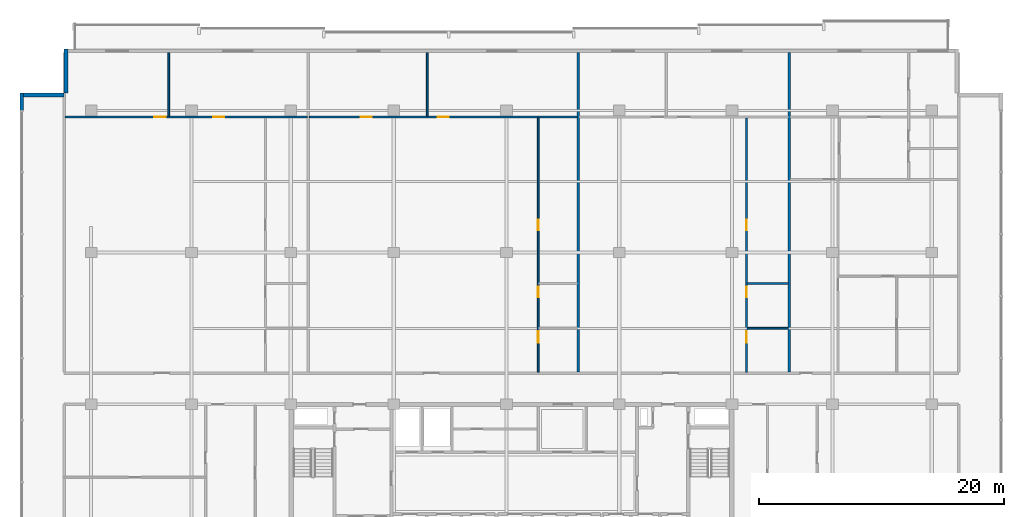
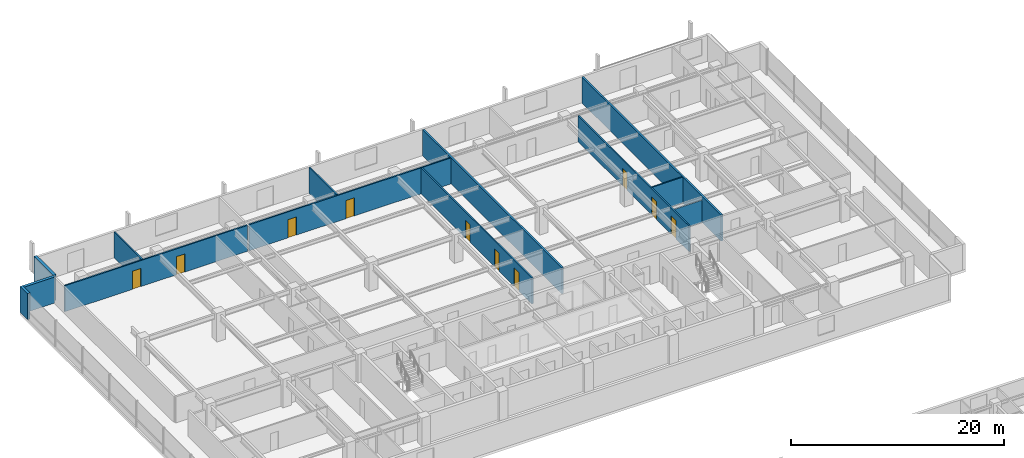
# One storey, part 30 of 38: 13 walls, 10 doors, 10 openings.
"""IFC4 building model written with IfcOpenShell, lengths in metres."""

from ifc_helpers import new_model, si_unit, direction, frame, frame_2d, origin, place, context, subcontext, project, spatial, rectangle, extrude, material, layer, layer_set, type_object, element, fill, save


model = new_model("IFC4")

# Units and contexts
model_context = context("Model", 3, precision=1e-05, world=origin(), true_north=direction((0.0, 1.0)))
body_context = subcontext(model_context, "Body", "Model", "MODEL_VIEW")
ifc_project = project(units=[si_unit("LENGTHUNIT", "METRE"), si_unit("AREAUNIT", "SQUARE_METRE"), si_unit("VOLUMEUNIT", "CUBIC_METRE"), si_unit("PLANEANGLEUNIT", "RADIAN"), si_unit("MASSUNIT", "GRAM", prefix="KILO")], contexts=[model_context])

# Site, building, storey
site_placement = place(None, origin())
site = spatial("IfcSite", under=ifc_project, at=site_placement, CompositionType="ELEMENT")
building_placement = place(site_placement, origin())
building = spatial("IfcBuilding", under=site, at=building_placement, Name="Korimba Cascade Residences", CompositionType="ELEMENT")
storey_placement = place(building_placement, frame((0.0, 0.0, 93.800048828125)))
storey = spatial("IfcBuildingStorey", under=building, at=storey_placement, Name="L26", CompositionType="ELEMENT", Elevation=93.800048828125)

# Walls
ifc_material_1 = material(Name="Precast concrete C40/50", Category="concrete")
ifc_layer_1 = layer(ifc_material_1, 0.300048828125)
ifc_layer_set_1 = layer_set([ifc_layer_1], Name="Precast concrete C40/50")
wall_type_1 = type_object("IfcWallType", Name="EW-STONE-300", PredefinedType="STANDARD", material=ifc_layer_set_1)
wall_1_placement = place(storey_placement, frame((57.75, 96.199951171875, 0.0), z_axis=(0.0, 0.0, 1.0), x_axis=(0.0, -1.0, 0.0)))
element("IfcWall", 1, at=wall_1_placement, inside=storey, type_object=wall_type_1, Name="L26 T1 Perimeter Stone Wall E07", PredefinedType="STANDARD", context=body_context, shape_type="SweptSolid", body=[
    extrude(rectangle(XDim=3.599853515625, YDim=0.300048828125, at=frame_2d((1.7998046875, 0.0))), origin(), (0.0, 0.0, 1.0), 2.969970703125),
])
wall_2_placement = place(storey_placement, frame((57.60009765625, 92.449951171875, 0.0), z_axis=(0.0, 0.0, 1.0), x_axis=(-1.0, 0.0, 0.0)))
element("IfcWall", 2, at=wall_2_placement, inside=storey, type_object=wall_type_1, Name="L26 T1 Perimeter Stone Wall E08", PredefinedType="STANDARD", context=body_context, shape_type="SweptSolid", body=[
    extrude(rectangle(XDim=3.60009765625, YDim=0.300048828125, at=frame_2d((1.800048828125, 0.0))), origin(), (0.0, 0.0, 1.0), 2.969970703125),
])
wall_3_placement = place(storey_placement, frame((54.14990234375, 92.60009765625, 0.0), z_axis=(0.0, 0.0, 1.0), x_axis=(0.0, -1.0, 0.0)))
element("IfcWall", 3, at=wall_3_placement, inside=storey, type_object=wall_type_1, Name="L26 T1 Sky Pier 9A", PredefinedType="STANDARD", context=body_context, shape_type="SweptSolid", body=[
    extrude(rectangle(XDim=1.400146484375, YDim=0.300048828125, at=frame_2d((0.7001953125, 0.0))), origin(), (0.0, 0.0, 1.0), 2.969970703125),
])
ifc_layer_2 = layer(ifc_material_1, 0.199951171875)
ifc_layer_set_2 = layer_set([ifc_layer_2], Name="Precast concrete C40/50")
wall_type_2 = type_object("IfcWallType", Name="WAL-IT-200", PredefinedType="PARTITIONING", material=ifc_layer_set_2)
for number, where, z_axis, x_axis, name in (
    (4, (99.55810546875, 69.830078125, 0.0), (0.0, 0.0, 1.0), (0.0, 1.0, 0.0), "L26 Partition Wall WAL-L26-T1-DEM-2"),
    (5, (116.78271484375, 69.830078125, 0.0), (0.0, 0.0, 1.0), (0.0, 1.0, 0.0), "L26 Partition Wall WAL-L26-T1-DEM-3"),
):
    element("IfcWall", number, at=place(storey_placement, frame(where, z_axis=z_axis, x_axis=x_axis)), inside=storey, type_object=wall_type_2, Name=name, PredefinedType="PARTITIONING", context=body_context, shape_type="SweptSolid", body=[
        extrude(rectangle(XDim=26.06982421875, YDim=0.199951171875, at=frame_2d((13.034912109375, 0.0))), origin(), (0.0, 0.0, 1.0), 2.969970703125),
    ])
ifc_material_2 = material(Name="Insulated Acoustic Stud Partition", Category="gypsum")
ifc_layer_3 = layer(ifc_material_2, 0.14990234375)
ifc_layer_set_3 = layer_set([ifc_layer_3], Name="Insulated Acoustic Stud Partition")
wall_type_3 = type_object("IfcWallType", Name="WAL-PART-150", PredefinedType="PARTITIONING", material=ifc_layer_set_3)
wall_4_placement = place(storey_placement, frame((66.144287109375, 90.72998046875, 0.0), z_axis=(0.0, 0.0, 1.0), x_axis=(0.0, 1.0, 0.0)))
element("IfcWall", 6, at=wall_4_placement, inside=storey, type_object=wall_type_3, Name="L26 Partition Wall WAL-L26-T1-U01-OUTV", PredefinedType="PARTITIONING", context=body_context, shape_type="SweptSolid", body=[
    extrude(rectangle(XDim=5.169921875, YDim=0.14990234375, at=frame_2d((2.5849609375, 0.0))), origin(), (0.0, 0.0, 1.0), 2.969970703125),
])

# Wall, openings, doors
wall_5_placement = place(storey_placement, frame((57.679931640625, 90.64990234375, 0.0), z_axis=(0.0, 0.0, 1.0), x_axis=(1.0, 0.0, 0.0)))
wall_5 = element("IfcWall", 7, at=wall_5_placement, inside=storey, type_object=wall_type_3, Name="L26 Partition Wall WAL-L26-T1-U01-HZ", PredefinedType="PARTITIONING", context=body_context, shape_type="SweptSolid", body=[
    extrude(rectangle(XDim=19.7685546875, YDim=0.14990234375, at=frame_2d((9.88427734375, 0.0))), origin(), (0.0, 0.0, 1.0), 2.969970703125),
])
opening_1_placement = place(wall_5_placement, frame((7.294189453125, 0.0, 0.0)))
opening_1 = element("IfcOpeningElement", 8, at=opening_1_placement, cuts=wall_5, Name="Opening D-ST1", PredefinedType="OPENING", context=body_context, shape_type="SweptSolid", body=[
    extrude(rectangle(XDim=0.919921875, YDim=2.080078125, at=frame_2d((0.4599609375, 1.0400390625))), frame((0.0, 0.0849609375, 0.0), z_axis=(0.0, -1.0, 0.0), x_axis=(1.0, 0.0, 0.0)), (0.0, 0.0, 1.0), 0.169921875),
])
opening_2_placement = place(wall_5_placement, frame((12.07568359375, 0.0, 0.0)))
opening_2 = element("IfcOpeningElement", 9, at=opening_2_placement, cuts=wall_5, Name="Opening D-ST1", PredefinedType="OPENING", context=body_context, shape_type="SweptSolid", body=[
    extrude(rectangle(XDim=0.919921875, YDim=2.080078125, at=frame_2d((0.4599609375, 1.0400390625))), frame((0.0, 0.0849609375, 0.0), z_axis=(0.0, -1.0, 0.0), x_axis=(1.0, 0.0, 0.0)), (0.0, 0.0, 1.0), 0.169921875),
])
ifc_material_3 = material(Name="Fire-Rated Core Store Door", Category="wood")
door_type_1 = type_object("IfcDoorType", Name="DR-FD60-920", OperationType="NOTDEFINED", PredefinedType="DOOR", material=ifc_material_3)
door_1_placement = place(opening_1_placement, origin())
door_1 = element("IfcDoor", 10, at=door_1_placement, inside=storey, type_object=door_type_1, Name="L26-T1-U01 Sky Lobby Concierge Door", OperationType="SINGLE_SWING_LEFT", OverallHeight=2.080078125, OverallWidth=0.919921875, PredefinedType="DOOR", context=body_context, shape_type="SweptSolid", body=[
    extrude(rectangle(XDim=0.919921875, YDim=2.080078125, at=frame_2d((0.4599609375, 1.0400390625))), frame((0.0, 0.02490234375, 0.0), z_axis=(0.0, -1.0, 0.0), x_axis=(1.0, 0.0, 0.0)), (0.0, 0.0, 1.0), 0.050048828125),
])
fill(opening_1, door_1)
door_2_placement = place(opening_2_placement, origin())
door_2 = element("IfcDoor", 11, at=door_2_placement, inside=storey, type_object=door_type_1, Name="L26-T1-U01 Horizon Observation Atrium Door", OperationType="SINGLE_SWING_RIGHT", OverallHeight=2.080078125, OverallWidth=0.919921875, PredefinedType="DOOR", context=body_context, shape_type="SweptSolid", body=[
    extrude(rectangle(XDim=0.919921875, YDim=2.080078125, at=frame_2d((0.4599609375, 1.0400390625))), frame((0.0, 0.02490234375, 0.0), z_axis=(0.0, -1.0, 0.0), x_axis=(1.0, 0.0, 0.0)), (0.0, 0.0, 1.0), 0.050048828125),
])
fill(opening_2, door_2)

wall_6_placement = place(storey_placement, frame((96.2880859375, 69.81005859375, 0.0), z_axis=(0.0, 0.0, 1.0), x_axis=(0.0, 1.0, 0.0)))
wall_6 = element("IfcWall", 12, at=wall_6_placement, inside=storey, type_object=wall_type_3, Name="L26 Partition Wall WAL-L26-T1-U02-WCV", PredefinedType="PARTITIONING", context=body_context, shape_type="SweptSolid", body=[
    extrude(rectangle(XDim=20.780029296875, YDim=0.14990234375, at=frame_2d((10.39013671875, 0.0))), origin(), (0.0, 0.0, 1.0), 2.969970703125),
])
opening_3_placement = place(wall_6_placement, frame((2.406005859375, 0.0, 0.0)))
opening_3 = element("IfcOpeningElement", 13, at=opening_3_placement, cuts=wall_6, Name="Opening D-AC1", PredefinedType="OPENING", context=body_context, shape_type="SweptSolid", body=[
    extrude(rectangle(XDim=0.9599609375, YDim=2.10009765625, at=frame_2d((0.47998046875, 1.050048828125))), frame((0.0, 0.0849609375, 0.0), z_axis=(0.0, -1.0, 0.0), x_axis=(1.0, 0.0, 0.0)), (0.0, 0.0, 1.0), 0.169921875),
])
opening_4_placement = place(wall_6_placement, frame((6.132568359375, 0.0, 0.0)))
opening_4 = element("IfcOpeningElement", 14, at=opening_4_placement, cuts=wall_6, Name="Opening D-IN2", PredefinedType="OPENING", context=body_context, shape_type="SweptSolid", body=[
    extrude(rectangle(XDim=0.8798828125, YDim=2.06005859375, at=frame_2d((0.43994140625, 1.030029296875))), frame((0.0, 0.0849609375, 0.0), z_axis=(0.0, -1.0, 0.0), x_axis=(1.0, 0.0, 0.0)), (0.0, 0.0, 1.0), 0.169921875),
])
opening_5_placement = place(wall_6_placement, frame((11.61474609375, 0.0, 0.0)))
opening_5 = element("IfcOpeningElement", 15, at=opening_5_placement, cuts=wall_6, Name="Opening D-BT1", PredefinedType="OPENING", context=body_context, shape_type="SweptSolid", body=[
    extrude(rectangle(XDim=0.840087890625, YDim=2.0400390625, at=frame_2d((0.419921875, 1.02001953125))), frame((0.0, 0.0849609375, 0.0), z_axis=(0.0, -1.0, 0.0), x_axis=(1.0, 0.0, 0.0)), (0.0, 0.0, 1.0), 0.169921875),
])
ifc_material_4 = material(Name="Accessible Acoustic Timber WC Door", Category="wood")
door_type_2 = type_object("IfcDoorType", Name="DR-ACC-950", OperationType="NOTDEFINED", PredefinedType="DOOR", material=ifc_material_4)
door_3_placement = place(opening_3_placement, origin())
door_3 = element("IfcDoor", 16, at=door_3_placement, inside=storey, type_object=door_type_2, Name="L26-T1-U02 Accessible WC Door", OperationType="SINGLE_SWING_LEFT", OverallHeight=2.10009765625, OverallWidth=0.9599609375, PredefinedType="DOOR", context=body_context, shape_type="SweptSolid", body=[
    extrude(rectangle(XDim=0.9599609375, YDim=2.10009765625, at=frame_2d((0.47998046875, 1.050048828125))), frame((0.0, 0.02490234375, 0.0), z_axis=(0.0, -1.0, 0.0), x_axis=(1.0, 0.0, 0.0)), (0.0, 0.0, 1.0), 0.050048828125),
])
fill(opening_3, door_3)
ifc_material_5 = material(Name="Moisture-Resistant Bathroom Timber Door", Category="wood")
door_type_3 = type_object("IfcDoorType", Name="DR-INT-850", OperationType="NOTDEFINED", PredefinedType="DOOR", material=ifc_material_5)
door_4_placement = place(opening_5_placement, origin())
door_4 = element("IfcDoor", 17, at=door_4_placement, inside=storey, type_object=door_type_3, Name="L26-T1-U02 Suite Store Door", OperationType="SINGLE_SWING_LEFT", OverallHeight=2.0400390625, OverallWidth=0.840087890625, PredefinedType="DOOR", context=body_context, shape_type="SweptSolid", body=[
    extrude(rectangle(XDim=0.840087890625, YDim=2.0400390625, at=frame_2d((0.419921875, 1.02001953125))), frame((0.0, 0.02490234375, 0.0), z_axis=(0.0, -1.0, 0.0), x_axis=(1.0, 0.0, 0.0)), (0.0, 0.0, 1.0), 0.050048828125),
])
fill(opening_5, door_4)
ifc_material_6 = material(Name="Acoustic Timber Bedroom Door", Category="wood")
door_type_4 = type_object("IfcDoorType", Name="DR-INT-880", OperationType="NOTDEFINED", PredefinedType="DOOR", material=ifc_material_6)
door_5_placement = place(opening_4_placement, origin())
door_5 = element("IfcDoor", 18, at=door_5_placement, inside=storey, type_object=door_type_4, Name="L26-T1-U02 Restroom WC Door", OperationType="SINGLE_SWING_RIGHT", OverallHeight=2.06005859375, OverallWidth=0.8798828125, PredefinedType="DOOR", context=body_context, shape_type="SweptSolid", body=[
    extrude(rectangle(XDim=0.8798828125, YDim=2.06005859375, at=frame_2d((0.43994140625, 1.030029296875))), frame((0.0, 0.02490234375, 0.0), z_axis=(0.0, -1.0, 0.0), x_axis=(1.0, 0.0, 0.0)), (0.0, 0.0, 1.0), 0.050048828125),
])
fill(opening_4, door_5)

# Wall
wall_7_placement = place(storey_placement, frame((87.23828125, 90.72998046875, 0.0), z_axis=(0.0, 0.0, 1.0), x_axis=(0.0, 1.0, 0.0)))
element("IfcWall", 19, at=wall_7_placement, inside=storey, type_object=wall_type_3, Name="L26 Partition Wall WAL-L26-T1-U02-OUTV", PredefinedType="PARTITIONING", context=body_context, shape_type="SweptSolid", body=[
    extrude(rectangle(XDim=5.169921875, YDim=0.14990234375, at=frame_2d((2.5849609375, 0.0))), origin(), (0.0, 0.0, 1.0), 2.969970703125),
])

# Wall, openings, doors
wall_8_placement = place(storey_placement, frame((77.6083984375, 90.64990234375, 0.0), z_axis=(0.0, 0.0, 1.0), x_axis=(1.0, 0.0, 0.0)))
wall_8 = element("IfcWall", 20, at=wall_8_placement, inside=storey, type_object=wall_type_3, Name="L26 Partition Wall WAL-L26-T1-U02-HZ", PredefinedType="PARTITIONING", context=body_context, shape_type="SweptSolid", body=[
    extrude(rectangle(XDim=21.86962890625, YDim=0.14990234375, at=frame_2d((10.934814453125, 0.0))), origin(), (0.0, 0.0, 1.0), 2.969970703125),
])
opening_6_placement = place(wall_8_placement, frame((4.190673828125, 0.0, 0.0)))
opening_6 = element("IfcOpeningElement", 21, at=opening_6_placement, cuts=wall_8, Name="Opening D-ST1", PredefinedType="OPENING", context=body_context, shape_type="SweptSolid", body=[
    extrude(rectangle(XDim=0.919921875, YDim=2.080078125, at=frame_2d((0.4599609375, 1.0400390625))), frame((0.0, 0.0849609375, 0.0), z_axis=(0.0, -1.0, 0.0), x_axis=(1.0, 0.0, 0.0)), (0.0, 0.0, 1.0), 0.169921875),
])
opening_7_placement = place(wall_8_placement, frame((10.474853515625, 0.0, 0.0)))
opening_7 = element("IfcOpeningElement", 22, at=opening_7_placement, cuts=wall_8, Name="Opening D-ST1", PredefinedType="OPENING", context=body_context, shape_type="SweptSolid", body=[
    extrude(rectangle(XDim=0.919921875, YDim=2.080078125, at=frame_2d((0.4599609375, 1.0400390625))), frame((0.0, 0.0849609375, 0.0), z_axis=(0.0, -1.0, 0.0), x_axis=(1.0, 0.0, 0.0)), (0.0, 0.0, 1.0), 0.169921875),
])
door_6_placement = place(opening_6_placement, origin())
door_6 = element("IfcDoor", 23, at=door_6_placement, inside=storey, type_object=door_type_1, Name="L26-T1-U02 Sky Lobby Concierge Door", OperationType="SINGLE_SWING_RIGHT", OverallHeight=2.080078125, OverallWidth=0.919921875, PredefinedType="DOOR", context=body_context, shape_type="SweptSolid", body=[
    extrude(rectangle(XDim=0.919921875, YDim=2.080078125, at=frame_2d((0.4599609375, 1.0400390625))), frame((0.0, 0.02490234375, 0.0), z_axis=(0.0, -1.0, 0.0), x_axis=(1.0, 0.0, 0.0)), (0.0, 0.0, 1.0), 0.050048828125),
])
fill(opening_6, door_6)
door_7_placement = place(opening_7_placement, origin())
door_7 = element("IfcDoor", 24, at=door_7_placement, inside=storey, type_object=door_type_1, Name="L26-T1-U02 Horizon Observation Atrium Door", OperationType="SINGLE_SWING_LEFT", OverallHeight=2.080078125, OverallWidth=0.919921875, PredefinedType="DOOR", context=body_context, shape_type="SweptSolid", body=[
    extrude(rectangle(XDim=0.919921875, YDim=2.080078125, at=frame_2d((0.4599609375, 1.0400390625))), frame((0.0, 0.02490234375, 0.0), z_axis=(0.0, -1.0, 0.0), x_axis=(1.0, 0.0, 0.0)), (0.0, 0.0, 1.0), 0.050048828125),
])
fill(opening_7, door_7)

# Walls
wall_9_placement = place(storey_placement, frame((113.3427734375, 73.419921875, 0.0), z_axis=(0.0, 0.0, 1.0), x_axis=(1.0, 0.0, 0.0)))
element("IfcWall", 25, at=wall_9_placement, inside=storey, type_object=wall_type_3, Name="L26 Partition Wall WAL-L26-T1-U03-WCH", PredefinedType="PARTITIONING", context=body_context, shape_type="SweptSolid", body=[
    extrude(rectangle(XDim=3.35986328125, YDim=0.14990234375, at=frame_2d((1.679931640625, 0.0))), origin(), (0.0, 0.0, 1.0), 2.560546875),
])
wall_10_placement = place(storey_placement, frame((113.3427734375, 77.070068359375, 0.0), z_axis=(0.0, 0.0, 1.0), x_axis=(1.0, 0.0, 0.0)))
element("IfcWall", 26, at=wall_10_placement, inside=storey, type_object=wall_type_3, Name="L26 Partition Wall WAL-L26-T1-U03-WCH2", PredefinedType="PARTITIONING", context=body_context, shape_type="SweptSolid", body=[
    extrude(rectangle(XDim=3.35986328125, YDim=0.14990234375, at=frame_2d((1.679931640625, 0.0))), origin(), (0.0, 0.0, 1.0), 2.969970703125),
])

# Wall, openings, doors
wall_11_placement = place(storey_placement, frame((113.28271484375, 69.81005859375, 0.0), z_axis=(0.0, 0.0, 1.0), x_axis=(0.0, 1.0, 0.0)))
wall_11 = element("IfcWall", 27, at=wall_11_placement, inside=storey, type_object=wall_type_3, Name="L26 Partition Wall WAL-L26-T1-U03-WCV", PredefinedType="PARTITIONING", context=body_context, shape_type="SweptSolid", body=[
    extrude(rectangle(XDim=20.780029296875, YDim=0.14990234375, at=frame_2d((10.39013671875, 0.0))), origin(), (0.0, 0.0, 1.0), 2.969970703125),
])
opening_8_placement = place(wall_11_placement, frame((2.406005859375, 0.0, 0.0)))
opening_8 = element("IfcOpeningElement", 28, at=opening_8_placement, cuts=wall_11, Name="Opening D-AC1", PredefinedType="OPENING", context=body_context, shape_type="SweptSolid", body=[
    extrude(rectangle(XDim=0.9599609375, YDim=2.10009765625, at=frame_2d((0.47998046875, 1.050048828125))), frame((0.0, 0.0849609375, 0.0), z_axis=(0.0, -1.0, 0.0), x_axis=(1.0, 0.0, 0.0)), (0.0, 0.0, 1.0), 0.169921875),
])
opening_9_placement = place(wall_11_placement, frame((6.132568359375, 0.0, 0.0)))
opening_9 = element("IfcOpeningElement", 29, at=opening_9_placement, cuts=wall_11, Name="Opening D-IN2", PredefinedType="OPENING", context=body_context, shape_type="SweptSolid", body=[
    extrude(rectangle(XDim=0.8798828125, YDim=2.06005859375, at=frame_2d((0.43994140625, 1.030029296875))), frame((0.0, 0.0849609375, 0.0), z_axis=(0.0, -1.0, 0.0), x_axis=(1.0, 0.0, 0.0)), (0.0, 0.0, 1.0), 0.169921875),
])
opening_10_placement = place(wall_11_placement, frame((11.61474609375, 0.0, 0.0)))
opening_10 = element("IfcOpeningElement", 30, at=opening_10_placement, cuts=wall_11, Name="Opening D-BT1", PredefinedType="OPENING", context=body_context, shape_type="SweptSolid", body=[
    extrude(rectangle(XDim=0.840087890625, YDim=2.0400390625, at=frame_2d((0.419921875, 1.02001953125))), frame((0.0, 0.0849609375, 0.0), z_axis=(0.0, -1.0, 0.0), x_axis=(1.0, 0.0, 0.0)), (0.0, 0.0, 1.0), 0.169921875),
])
door_8_placement = place(opening_8_placement, origin())
door_8 = element("IfcDoor", 31, at=door_8_placement, inside=storey, type_object=door_type_2, Name="L26-T1-U03 Accessible WC Door", OperationType="SINGLE_SWING_RIGHT", OverallHeight=2.10009765625, OverallWidth=0.9599609375, PredefinedType="DOOR", context=body_context, shape_type="SweptSolid", body=[
    extrude(rectangle(XDim=0.9599609375, YDim=2.10009765625, at=frame_2d((0.47998046875, 1.050048828125))), frame((0.0, 0.02490234375, 0.0), z_axis=(0.0, -1.0, 0.0), x_axis=(1.0, 0.0, 0.0)), (0.0, 0.0, 1.0), 0.050048828125),
])
fill(opening_8, door_8)
door_9_placement = place(opening_10_placement, origin())
door_9 = element("IfcDoor", 32, at=door_9_placement, inside=storey, type_object=door_type_3, Name="L26-T1-U03 Suite Store Door", OperationType="SINGLE_SWING_RIGHT", OverallHeight=2.0400390625, OverallWidth=0.840087890625, PredefinedType="DOOR", context=body_context, shape_type="SweptSolid", body=[
    extrude(rectangle(XDim=0.840087890625, YDim=2.0400390625, at=frame_2d((0.419921875, 1.02001953125))), frame((0.0, 0.02490234375, 0.0), z_axis=(0.0, -1.0, 0.0), x_axis=(1.0, 0.0, 0.0)), (0.0, 0.0, 1.0), 0.050048828125),
])
fill(opening_10, door_9)
door_10_placement = place(opening_9_placement, origin())
door_10 = element("IfcDoor", 33, at=door_10_placement, inside=storey, type_object=door_type_4, Name="L26-T1-U03 Restroom WC Door", OperationType="SINGLE_SWING_LEFT", OverallHeight=2.06005859375, OverallWidth=0.8798828125, PredefinedType="DOOR", context=body_context, shape_type="SweptSolid", body=[
    extrude(rectangle(XDim=0.8798828125, YDim=2.06005859375, at=frame_2d((0.43994140625, 1.030029296875))), frame((0.0, 0.02490234375, 0.0), z_axis=(0.0, -1.0, 0.0), x_axis=(1.0, 0.0, 0.0)), (0.0, 0.0, 1.0), 0.050048828125),
])
fill(opening_9, door_10)

save(model, "model.ifc")
